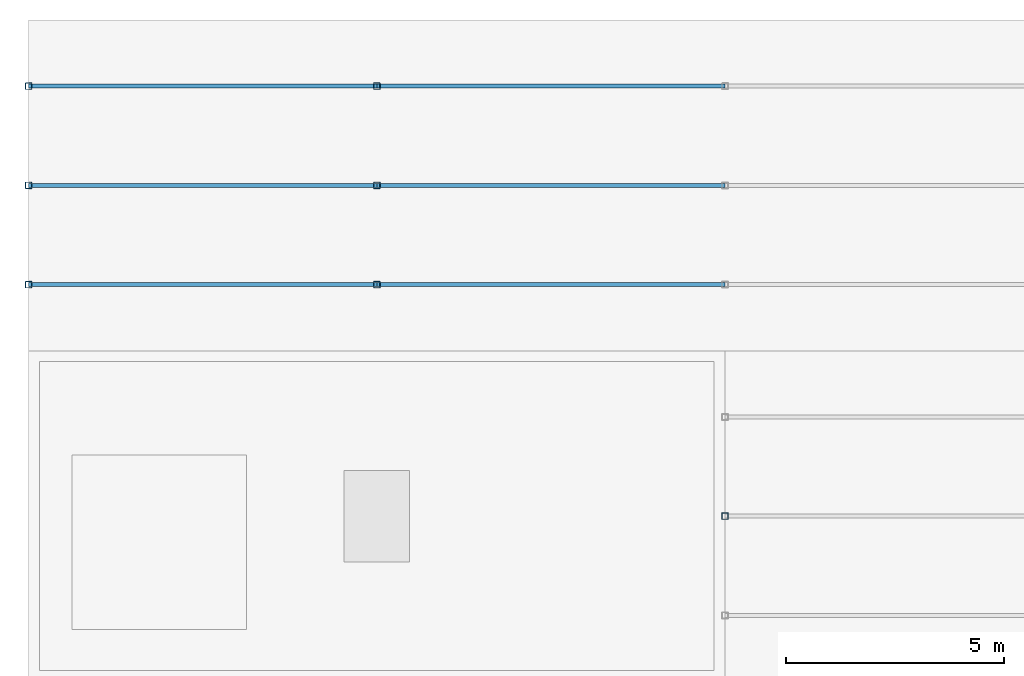
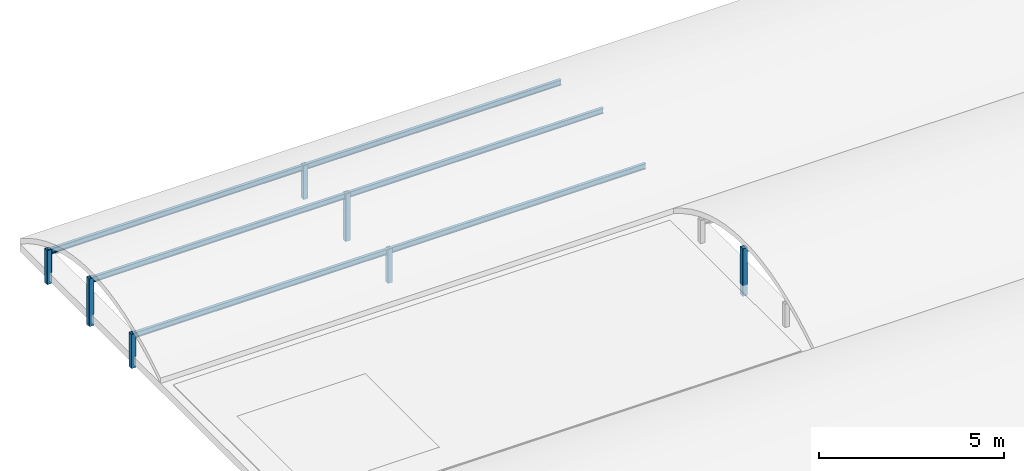
# One storey, part 3 of 8: 13 members.
"""IFC4 building model written with IfcOpenShell, lengths in metres."""

from ifc_helpers import new_model, si_unit, direction, frame, origin, origin_2d, place, context, subcontext, project, spatial, hollow_rectangle, i_section, extrude, material, material_profile, profile_set, type_object, element, save


model = new_model("IFC4")

# Units and contexts
model_context = context("Model", 3, precision=1e-05, world=origin(), true_north=direction((0.0, 1.0)))
body_context = subcontext(model_context, "Body", "Model", "MODEL_VIEW")
ifc_project = project(units=[si_unit("LENGTHUNIT", "METRE"), si_unit("AREAUNIT", "SQUARE_METRE"), si_unit("VOLUMEUNIT", "CUBIC_METRE"), si_unit("PLANEANGLEUNIT", "RADIAN"), si_unit("MASSUNIT", "GRAM", prefix="KILO")], contexts=[model_context])

# Site, building, storey
site_placement = place(None, origin())
site = spatial("IfcSite", under=ifc_project, at=site_placement, CompositionType="ELEMENT")
building_placement = place(site_placement, origin())
building = spatial("IfcBuilding", under=site, at=building_placement, Name="Shalkamar Park Central Library", CompositionType="ELEMENT")
storey_placement = place(building_placement, frame((0.0, 0.0, 77.699951171875)))
storey = spatial("IfcBuildingStorey", under=building, at=storey_placement, Name="ROOF", CompositionType="ELEMENT", Elevation=77.699951171875)

# Members
ifc_material = material(Name="Steel S355", Category="steel")
ifc_material_profile_1 = material_profile(ifc_material, hollow_rectangle(XDim=0.14990234375, YDim=0.14990234375, WallThickness=0.008056640625, InnerFilletRadius=0.008056640625, OuterFilletRadius=0.011962890625, at=origin_2d()), Name="SHS 150x150x8")
ifc_profile_set_1 = profile_set([ifc_material_profile_1], Name="Steel S355")
member_type_1 = type_object("IfcMemberType", Name="Diagonal Brace SHS150", PredefinedType="BRACE", material=ifc_profile_set_1)
member_1_placement = place(storey_placement, frame((181.0, 266.60009765625, -0.35986328125), z_axis=(0.0, 0.0, 1.0), x_axis=(1.0, 0.0, 0.0)))
element("IfcMember", 1, at=member_1_placement, inside=storey, type_object=member_type_1, Name="Vault Arch Post BV-L18-2-09.2", PredefinedType="BRACE", context=body_context, shape_type="SweptSolid", body=[
    extrude(hollow_rectangle(XDim=0.14990234375, YDim=0.14990234375, WallThickness=0.008056640625, InnerFilletRadius=0.008056640625, OuterFilletRadius=0.011962890625, at=origin_2d()), origin(), (0.0, 0.0, 1.0), 1.56982421875),
])
member_2_placement = place(storey_placement, frame((165.0, 271.919921875, -0.35986328125), z_axis=(0.0, 0.0, 1.0), x_axis=(1.0, 0.0, 0.0)))
element("IfcMember", 2, at=member_2_placement, inside=storey, type_object=member_type_1, Name="Vault Arch Post BV-L18-3-07.1", PredefinedType="BRACE", context=body_context, shape_type="SweptSolid", body=[
    extrude(hollow_rectangle(XDim=0.14990234375, YDim=0.14990234375, WallThickness=0.008056640625, InnerFilletRadius=0.008056640625, OuterFilletRadius=0.011962890625, at=origin_2d()), origin(), (0.0, 0.0, 1.0), 1.119873046875),
])
member_3_placement = place(storey_placement, frame((165.0, 274.199951171875, -0.35986328125), z_axis=(0.0, 0.0, 1.0), x_axis=(1.0, 0.0, 0.0)))
element("IfcMember", 3, at=member_3_placement, inside=storey, type_object=member_type_1, Name="Vault Arch Post BV-L18-3-07.2", PredefinedType="BRACE", context=body_context, shape_type="SweptSolid", body=[
    extrude(hollow_rectangle(XDim=0.14990234375, YDim=0.14990234375, WallThickness=0.008056640625, InnerFilletRadius=0.008056640625, OuterFilletRadius=0.011962890625, at=origin_2d()), origin(), (0.0, 0.0, 1.0), 1.56982421875),
])
for number, where, z_axis, x_axis, name in (
    (4, (165.0, 276.47998046875, -0.35986328125), (0.0, 0.0, 1.0), (1.0, 0.0, 0.0), "Vault Arch Post BV-L18-3-07.3"),
    (5, (173.0, 271.919921875, -0.35986328125), (0.0, 0.0, 1.0), (1.0, 0.0, 0.0), "Vault Arch Post BV-L18-3-08.1"),
):
    element("IfcMember", number, at=place(storey_placement, frame(where, z_axis=z_axis, x_axis=x_axis)), inside=storey, type_object=member_type_1, Name=name, PredefinedType="BRACE", context=body_context, shape_type="SweptSolid", body=[
        extrude(hollow_rectangle(XDim=0.14990234375, YDim=0.14990234375, WallThickness=0.008056640625, InnerFilletRadius=0.008056640625, OuterFilletRadius=0.011962890625, at=origin_2d()), origin(), (0.0, 0.0, 1.0), 1.119873046875),
    ])
member_4_placement = place(storey_placement, frame((173.0, 274.199951171875, -0.35986328125), z_axis=(0.0, 0.0, 1.0), x_axis=(1.0, 0.0, 0.0)))
element("IfcMember", 6, at=member_4_placement, inside=storey, type_object=member_type_1, Name="Vault Arch Post BV-L18-3-08.2", PredefinedType="BRACE", context=body_context, shape_type="SweptSolid", body=[
    extrude(hollow_rectangle(XDim=0.14990234375, YDim=0.14990234375, WallThickness=0.008056640625, InnerFilletRadius=0.008056640625, OuterFilletRadius=0.011962890625, at=origin_2d()), origin(), (0.0, 0.0, 1.0), 1.56982421875),
])
member_5_placement = place(storey_placement, frame((173.0, 276.47998046875, -0.35986328125), z_axis=(0.0, 0.0, 1.0), x_axis=(1.0, 0.0, 0.0)))
element("IfcMember", 7, at=member_5_placement, inside=storey, type_object=member_type_1, Name="Vault Arch Post BV-L18-3-08.3", PredefinedType="BRACE", context=body_context, shape_type="SweptSolid", body=[
    extrude(hollow_rectangle(XDim=0.14990234375, YDim=0.14990234375, WallThickness=0.008056640625, InnerFilletRadius=0.008056640625, OuterFilletRadius=0.011962890625, at=origin_2d()), origin(), (0.0, 0.0, 1.0), 1.119873046875),
])
ifc_material_profile_2 = material_profile(ifc_material, i_section(OverallWidth=0.091064453125, OverallDepth=0.179931640625, WebThickness=0.00537109375, FlangeThickness=0.008056640625, FilletRadius=0.009033203125, at=origin_2d()), Name="IPE 180")
ifc_profile_set_2 = profile_set([ifc_material_profile_2], Name="Steel S355")
member_type_2 = type_object("IfcMemberType", Name="Roof Purlin IPE180", PredefinedType="PURLIN", material=ifc_profile_set_2)
for number, where, z_axis, x_axis, name in (
    (8, (165.0, 271.919921875, 0.670166015625), (1.0, 0.0, 0.0), (0.0, 1.0, 0.0), "Barrel Roof Purlin BV-L18-3-1.07"),
    (9, (173.0, 271.919921875, 0.670166015625), (1.0, 0.0, 0.0), (0.0, 1.0, 0.0), "Barrel Roof Purlin BV-L18-3-1.08"),
    (10, (165.0, 274.199951171875, 1.1201171875), (1.0, 0.0, 0.0), (0.0, 1.0, 0.0), "Barrel Roof Purlin BV-L18-3-2.07"),
    (11, (173.0, 274.199951171875, 1.1201171875), (1.0, 0.0, 0.0), (0.0, 1.0, 0.0), "Barrel Roof Purlin BV-L18-3-2.08"),
    (12, (165.0, 276.47998046875, 0.670166015625), (1.0, 0.0, 0.0), (0.0, 1.0, 0.0), "Barrel Roof Purlin BV-L18-3-3.07"),
    (13, (173.0, 276.47998046875, 0.670166015625), (1.0, 0.0, 0.0), (0.0, 1.0, 0.0), "Barrel Roof Purlin BV-L18-3-3.08"),
):
    element("IfcMember", number, at=place(storey_placement, frame(where, z_axis=z_axis, x_axis=x_axis)), inside=storey, type_object=member_type_2, Name=name, PredefinedType="PURLIN", context=body_context, shape_type="SweptSolid", body=[
        extrude(i_section(OverallWidth=0.091064453125, OverallDepth=0.179931640625, WebThickness=0.00537109375, FlangeThickness=0.008056640625, FilletRadius=0.009033203125, at=origin_2d()), origin(), (0.0, 0.0, 1.0), 8.0),
    ])

save(model, "model.ifc")
